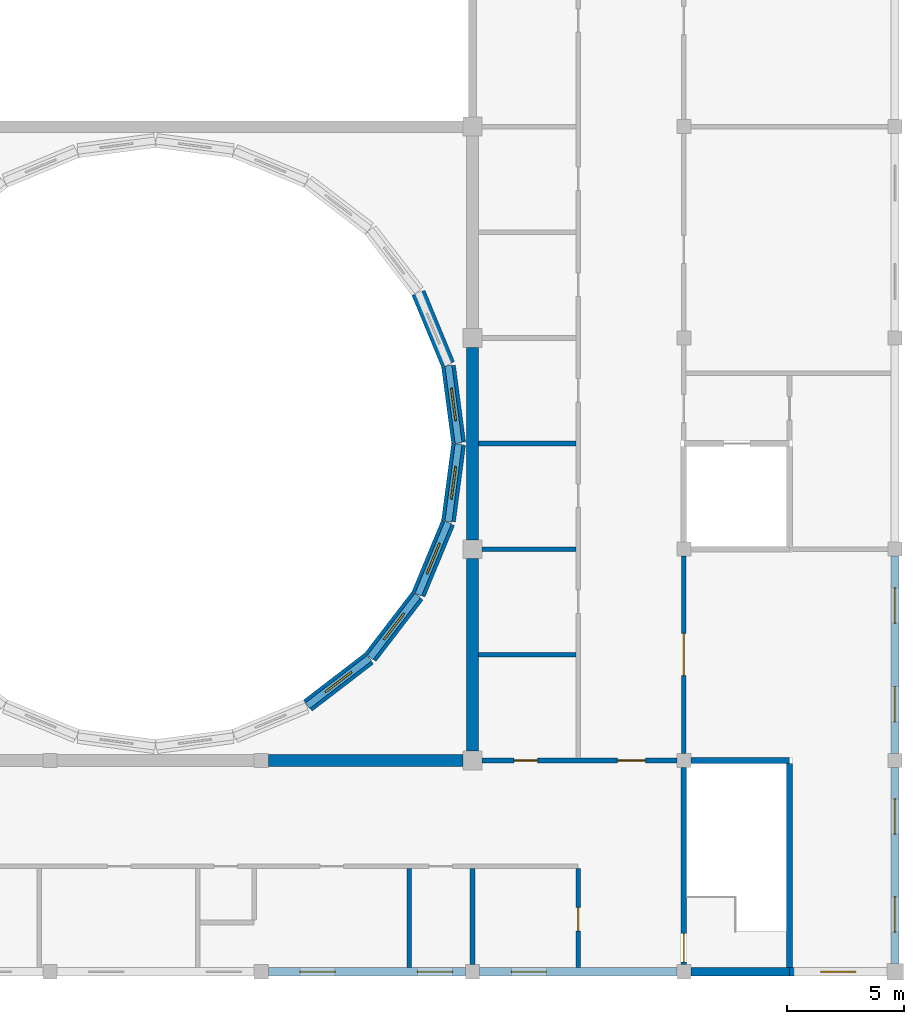
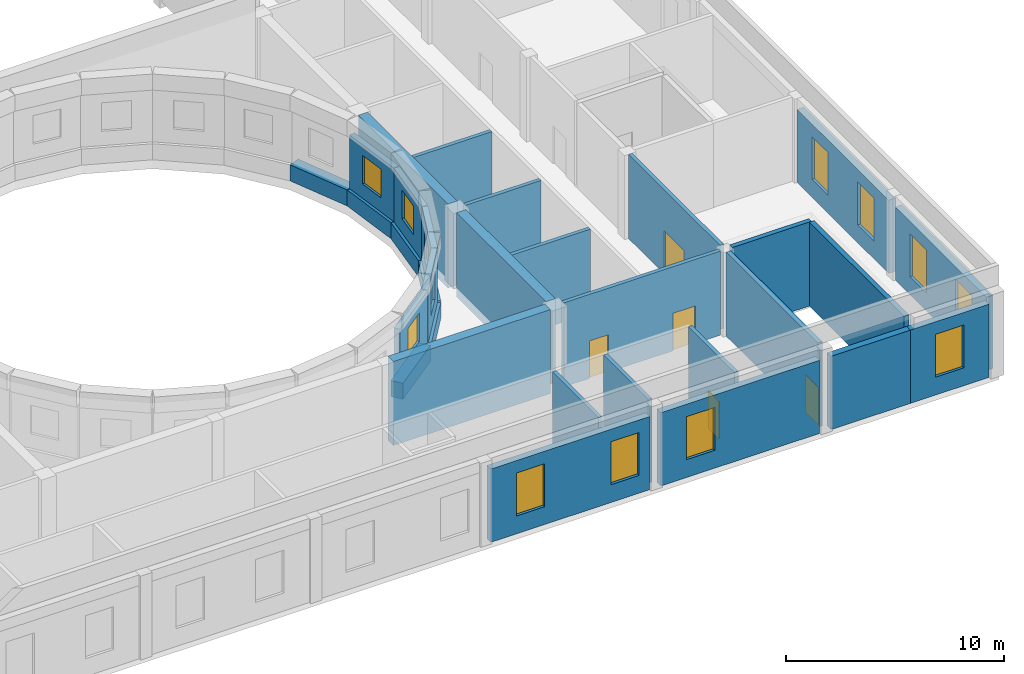
# One storey, part 26 of 35: 31 walls, 13 windows, 5 doors, 18 openings.
"""IFC4 building model written with IfcOpenShell, lengths in metres."""

import ifcopenshell
import ifcopenshell.guid

model = None  # the IFC model being written
_history = None  # IfcOwnerHistory: only IFC2X3 demands one
_inside = {}  # id of a spatial element -> (the spatial element, [elements in it])
_under = {}  # id of a project, library or spatial element -> (it, [spatial elements below it])
_declared = {}  # id of a project -> (the project, [libraries it declares])
_typed = {}  # id of a type object -> (the type object, [elements of that type])
_made_of = {}  # id of a material, layer set ... -> (it, [elements and type objects made of it])


def new_model(schema):
    """Start an empty IFC model of exactly this schema.

    Asked for "IFC4X3", IfcOpenShell would pick the latest addendum, in which some entities
    have other attributes; the version numbers below select the first issue.
    IFC2X3 requires an IfcOwnerHistory on every rooted entity: one is made here for all.
    """
    global model, _history
    if schema == "IFC4X3":
        model = ifcopenshell.file(schema_version=(4, 3, 0, 0))
    else:
        model = ifcopenshell.file(schema=schema)
    _inside.clear()
    _under.clear()
    _declared.clear()
    _typed.clear()
    _made_of.clear()
    _history = None
    if model.schema == "IFC2X3":
        org = make("IfcOrganization", Name="unknown")
        user = make(
            "IfcPersonAndOrganization",
            ThePerson=make("IfcPerson", FamilyName="unknown"),
            TheOrganization=org,
        )
        app = make(
            "IfcApplication",
            ApplicationDeveloper=org,
            Version="unknown",
            ApplicationFullName="unknown",
            ApplicationIdentifier="unknown",
        )
        _history = make(
            "IfcOwnerHistory",
            OwningUser=user,
            OwningApplication=app,
            ChangeAction="ADDED",
            CreationDate=0,
        )
    return model


def make(cls, **values):
    """One entity of the class cls with the attributes given. An attribute that is None is left unset."""
    return model.create_entity(
        cls, **{name: value for name, value in values.items() if value is not None}
    )


def rooted(cls, **values):
    """An entity with a GlobalId (a new one), such as an element, a storey or a relation."""
    return make(cls, GlobalId=ifcopenshell.guid.new(), OwnerHistory=_history, **values)


def si_unit(unit_type, name, prefix=None):
    """IfcSIUnit, for example si_unit("LENGTHUNIT", "METRE", prefix="MILLI")."""
    return make("IfcSIUnit", UnitType=unit_type, Prefix=prefix, Name=name)


def assignment(units):
    """IfcUnitAssignment: the units of a project."""
    return None if units is None else make("IfcUnitAssignment", Units=units)


def point(xyz):
    """IfcCartesianPoint."""
    return None if xyz is None else make("IfcCartesianPoint", Coordinates=xyz)


def direction(xyz):
    """IfcDirection."""
    return None if xyz is None else make("IfcDirection", DirectionRatios=xyz)


def frame(location, z_axis=None, x_axis=None):
    """IfcAxis2Placement3D, a coordinate frame: its origin and axes. An axis left out is left unset."""
    return make(
        "IfcAxis2Placement3D",
        Location=point(location),
        Axis=direction(z_axis),
        RefDirection=direction(x_axis),
    )


def frame_2d(location, x_axis=None):
    """IfcAxis2Placement2D, a coordinate frame in the plane: its origin and x axis."""
    return make(
        "IfcAxis2Placement2D", Location=point(location), RefDirection=direction(x_axis)
    )


def origin():
    """The frame at (0, 0, 0) with its axes left unset."""
    return frame((0.0, 0.0, 0.0))


def place(relative_to, where):
    """IfcLocalPlacement: puts the frame where relative to a parent placement (None: the world)."""
    return make(
        "IfcLocalPlacement", PlacementRelTo=relative_to, RelativePlacement=where
    )


def context(
    kind, dimensions, precision=None, world=None, true_north=None, identifier=None
):
    """IfcGeometricRepresentationContext, for example the 3D "Model" context."""
    return make(
        "IfcGeometricRepresentationContext",
        ContextIdentifier=identifier,
        ContextType=kind,
        CoordinateSpaceDimension=dimensions,
        Precision=precision,
        WorldCoordinateSystem=world,
        TrueNorth=true_north,
    )


def subcontext(parent, identifier, kind, view, scale=None):
    """IfcGeometricRepresentationSubContext, for example "Body" below "Model"."""
    return make(
        "IfcGeometricRepresentationSubContext",
        ContextIdentifier=identifier,
        ContextType=kind,
        ParentContext=parent,
        TargetScale=scale,
        TargetView=view,
    )


def project(units=None, contexts=None):
    """IfcProject with its units and contexts."""
    return rooted(
        "IfcProject",
        Name="project",
        RepresentationContexts=contexts,
        UnitsInContext=assignment(units),
    )


def spatial(cls, under=None, at=None, **own):
    """A site, building, storey or space (cls), placed at a placement, below another one or the project."""
    s = rooted(cls, ObjectPlacement=at, **own)
    if under is not None:
        _under.setdefault(under.id(), (under, []))[1].append(s)
    return s


def profile(cls, at=None, kind="AREA", **sizes):
    """A parametric profile (cls). Its sizes go by their IFC names, for example OverallWidth=200.0."""
    return make(cls, ProfileType=kind, Position=at, **sizes)


def rectangle(**sizes):
    """IfcRectangleProfileDef."""
    return profile("IfcRectangleProfileDef", **sizes)


def extrude(swept, where, along, depth):
    """IfcExtrudedAreaSolid: the profile swept, set in the frame where, extruded along a direction by depth."""
    return make(
        "IfcExtrudedAreaSolid",
        SweptArea=swept,
        Position=where,
        ExtrudedDirection=direction(along),
        Depth=depth,
    )


def shape(context_of_items, identifier, shape_type, items):
    """IfcShapeRepresentation: the items that make up one representation, for example the "Body"."""
    return make(
        "IfcShapeRepresentation",
        ContextOfItems=context_of_items,
        RepresentationIdentifier=identifier,
        RepresentationType=shape_type,
        Items=items,
    )


def material(Name=None, Category=None):
    """IfcMaterial."""
    return make("IfcMaterial", Name=Name, Category=Category)


def layer(
    of_material, thickness, ventilated=None, Name=None, Category=None, Priority=None
):
    """IfcMaterialLayer: one layer of a wall or slab, of a material (None: an air gap)."""
    return make(
        "IfcMaterialLayer",
        Material=of_material,
        LayerThickness=thickness,
        IsVentilated=ventilated,
        Name=Name,
        Category=Category,
        Priority=Priority,
    )


def layer_set(layers, Name=None):
    """IfcMaterialLayerSet."""
    return make("IfcMaterialLayerSet", MaterialLayers=layers, LayerSetName=Name)


def made_of(thing, what):
    """Note that an element or type object is made of a material, layer set ...; save() writes the relation."""
    if what is not None:
        _made_of.setdefault(what.id(), (what, []))[1].append(thing)
    return thing


def type_object(cls, material=None, **own):
    """A type object (cls), such as IfcWallType, which elements share."""
    return made_of(rooted(cls, **own), material)


def element(
    cls,
    number,
    at=None,
    inside=None,
    cuts=None,
    type_object=None,
    material=None,
    context=None,
    identifier="Body",
    shape_type=None,
    held_by="IfcProductDefinitionShape",
    body=None,
    shapes=None,
    **own,
):
    """One element of the class cls, such as IfcWall. Its Tag is "e" and its number.

    at: its placement. inside: the storey or other place that contains it. cuts: it is an
    opening in that element (IfcRelVoidsElement). A single representation is given by context,
    identifier, shape_type and body (its items); several are given by shapes. held_by: the class
    of the entity that holds the representations. save() writes the other relations.
    """
    e = rooted(cls, Tag="e%d" % number, ObjectPlacement=at, **own)
    if body is not None:
        shapes = [shape(context, identifier, shape_type, body)]
    if shapes is not None:
        e.Representation = make(held_by, Representations=shapes)
    if inside is not None:
        _inside.setdefault(inside.id(), (inside, []))[1].append(e)
    if cuts is not None:
        rooted(
            "IfcRelVoidsElement", RelatingBuildingElement=cuts, RelatedOpeningElement=e
        )
    if type_object is not None:
        _typed.setdefault(type_object.id(), (type_object, []))[1].append(e)
    return made_of(e, material)


def fill(opening, filler):
    """IfcRelFillsElement: the door or window that sits in an opening."""
    return rooted(
        "IfcRelFillsElement",
        RelatingOpeningElement=opening,
        RelatedBuildingElement=filler,
    )


def aggregate(whole, parts):
    """IfcRelAggregates: a whole, such as a stair, and the parts it consists of."""
    return rooted("IfcRelAggregates", RelatingObject=whole, RelatedObjects=parts)


def save(model, path):
    """Write the relations noted so far, then the file.

    IfcRelAggregates (storeys below a building ...), IfcRelContainedInSpatialStructure (elements
    in a storey), IfcRelDefinesByType, IfcRelAssociatesMaterial and IfcRelDeclares: one each for
    every whole, place, type object, material and project.
    """
    for whole, parts in _under.values():
        aggregate(whole, parts)
    for where, things in _inside.values():
        rooted(
            "IfcRelContainedInSpatialStructure",
            RelatedElements=things,
            RelatingStructure=where,
        )
    for kind, things in _typed.values():
        rooted("IfcRelDefinesByType", RelatedObjects=things, RelatingType=kind)
    for what, things in _made_of.values():
        rooted("IfcRelAssociatesMaterial", RelatedObjects=things, RelatingMaterial=what)
    for by, libraries in _declared.values():
        rooted("IfcRelDeclares", RelatingContext=by, RelatedDefinitions=libraries)
    model.write(path)


model = new_model("IFC4")

# Units and contexts
model_context = context("Model", 3, precision=1e-05, world=origin(), true_north=direction((0.0, 1.0)))
body_context = subcontext(model_context, "Body", "Model", "MODEL_VIEW")
ifc_project = project(units=[si_unit("LENGTHUNIT", "METRE"), si_unit("AREAUNIT", "SQUARE_METRE"), si_unit("VOLUMEUNIT", "CUBIC_METRE"), si_unit("PLANEANGLEUNIT", "RADIAN"), si_unit("MASSUNIT", "GRAM", prefix="KILO")], contexts=[model_context])

# Site, building, storey
site_placement = place(None, origin())
site = spatial("IfcSite", under=ifc_project, at=site_placement, CompositionType="ELEMENT")
building_placement = place(site_placement, origin())
building = spatial("IfcBuilding", under=site, at=building_placement, Name="Firuza Court", CompositionType="ELEMENT")
storey_placement = place(building_placement, frame((0.0, 0.0, 24.0)))
storey = spatial("IfcBuildingStorey", under=building, at=storey_placement, Name="L04", CompositionType="ELEMENT", Elevation=24.0)

# Wall, opening, window
ifc_material_1 = material(Name="Concrete C40/50", Category="concrete")
ifc_layer_1 = layer(ifc_material_1, 0.300048828125)
ifc_layer_set_1 = layer_set([ifc_layer_1], Name="Concrete C40/50")
wall_type_1 = type_object("IfcWallType", Name="HALL DRUM WALL 300", PredefinedType="STANDARD", material=ifc_layer_set_1)
wall_1_placement = place(storey_placement, frame((134.407958984375, 13.51953125, 1.39990234375), z_axis=(0.0, 0.0, 1.0), x_axis=(-0.130545524535, 0.991442316035, 0.0)))
wall_1 = element("IfcWall", 1, at=wall_1_placement, inside=storey, type_object=wall_type_1, Name="Drum wall 1", PredefinedType="STANDARD", context=body_context, shape_type="SweptSolid", body=[
    extrude(rectangle(XDim=3.330810546875, YDim=0.300048828125, at=frame_2d((1.66552734375, 0.0))), origin(), (0.0, 0.0, 1.0), 3.0),
])
opening_1_placement = place(wall_1_placement, frame((0.96533203125, 0.0, 0.800048828125)))
opening_1 = element("IfcOpeningElement", 2, at=opening_1_placement, cuts=wall_1, Name="Opening HW-4", PredefinedType="OPENING", context=body_context, shape_type="SweptSolid", body=[
    extrude(rectangle(XDim=1.39990234375, YDim=1.60009765625, at=frame_2d((0.699951171875, 0.800048828125))), frame((0.0, 0.162109375, 0.0), z_axis=(0.0, -1.0, 0.0), x_axis=(1.0, 0.0, 0.0)), (0.0, 0.0, 1.0), 0.323974609375),
])
ifc_material_2 = material(Name="Aluminium", Category="aluminium")
window_type_1 = type_object("IfcWindowType", Name="HALL WINDOW 1400X1600", PartitioningType="SINGLE_PANEL", PredefinedType="WINDOW", material=ifc_material_2)
window_1_placement = place(opening_1_placement, origin())
window_1 = element("IfcWindow", 3, at=window_1_placement, inside=storey, type_object=window_type_1, Name="Drum clerestory window 1", OverallHeight=1.60009765625, OverallWidth=1.39990234375, PartitioningType="SINGLE_PANEL", PredefinedType="WINDOW", context=body_context, shape_type="SweptSolid", body=[
    extrude(rectangle(XDim=1.39990234375, YDim=1.60009765625, at=frame_2d((0.699951171875, 0.800048828125))), frame((0.0, 0.030029296875, 0.0), z_axis=(0.0, -1.0, 0.0), x_axis=(1.0, 0.0, 0.0)), (0.0, 0.0, 1.0), 0.06005859375),
])
fill(opening_1, window_1)

wall_2_placement = place(storey_placement, frame((127.970947265625, 2.331298828125, 1.39990234375), z_axis=(0.0, 0.0, 1.0), x_axis=(0.793345551451, 0.608771579488, 0.0)))
wall_2 = element("IfcWall", 4, at=wall_2_placement, inside=storey, type_object=wall_type_1, Name="Drum wall 21", PredefinedType="STANDARD", context=body_context, shape_type="SweptSolid", body=[
    extrude(rectangle(XDim=3.33056640625, YDim=0.300048828125, at=frame_2d((1.665283203125, 0.0))), origin(), (0.0, 0.0, 1.0), 3.0),
])
opening_2_placement = place(wall_2_placement, frame((0.96533203125, 0.0, 0.800048828125)))
opening_2 = element("IfcOpeningElement", 5, at=opening_2_placement, cuts=wall_2, Name="Opening HW-4", PredefinedType="OPENING", context=body_context, shape_type="SweptSolid", body=[
    extrude(rectangle(XDim=1.39990234375, YDim=1.60009765625, at=frame_2d((0.699951171875, 0.800048828125))), frame((0.0, 0.162109375, 0.0), z_axis=(0.0, -1.0, 0.0), x_axis=(1.0, 0.0, 0.0)), (0.0, 0.0, 1.0), 0.323974609375),
])
window_2_placement = place(opening_2_placement, origin())
window_2 = element("IfcWindow", 6, at=window_2_placement, inside=storey, type_object=window_type_1, Name="Drum clerestory window 21", OverallHeight=1.60009765625, OverallWidth=1.39990234375, PartitioningType="SINGLE_PANEL", PredefinedType="WINDOW", context=body_context, shape_type="SweptSolid", body=[
    extrude(rectangle(XDim=1.39990234375, YDim=1.60009765625, at=frame_2d((0.699951171875, 0.800048828125))), frame((0.0, 0.030029296875, 0.0), z_axis=(0.0, -1.0, 0.0), x_axis=(1.0, 0.0, 0.0)), (0.0, 0.0, 1.0), 0.06005859375),
])
fill(opening_2, window_2)

wall_3_placement = place(storey_placement, frame((130.64111328125, 4.38671875, 1.39990234375), z_axis=(0.0, 0.0, 1.0), x_axis=(0.608771579488, 0.793345551451, 0.0)))
wall_3 = element("IfcWall", 7, at=wall_3_placement, inside=storey, type_object=wall_type_1, Name="Drum wall 22", PredefinedType="STANDARD", context=body_context, shape_type="SweptSolid", body=[
    extrude(rectangle(XDim=3.33056640625, YDim=0.300048828125, at=frame_2d((1.665283203125, 0.0))), origin(), (0.0, 0.0, 1.0), 3.0),
])
opening_3_placement = place(wall_3_placement, frame((0.96533203125, 0.0, 0.800048828125)))
opening_3 = element("IfcOpeningElement", 8, at=opening_3_placement, cuts=wall_3, Name="Opening HW-4", PredefinedType="OPENING", context=body_context, shape_type="SweptSolid", body=[
    extrude(rectangle(XDim=1.39990234375, YDim=1.60009765625, at=frame_2d((0.699951171875, 0.800048828125))), frame((0.0, 0.162109375, 0.0), z_axis=(0.0, -1.0, 0.0), x_axis=(1.0, 0.0, 0.0)), (0.0, 0.0, 1.0), 0.323974609375),
])
window_3_placement = place(opening_3_placement, origin())
window_3 = element("IfcWindow", 9, at=window_3_placement, inside=storey, type_object=window_type_1, Name="Drum clerestory window 22", OverallHeight=1.60009765625, OverallWidth=1.39990234375, PartitioningType="SINGLE_PANEL", PredefinedType="WINDOW", context=body_context, shape_type="SweptSolid", body=[
    extrude(rectangle(XDim=1.39990234375, YDim=1.60009765625, at=frame_2d((0.699951171875, 0.800048828125))), frame((0.0, 0.030029296875, 0.0), z_axis=(0.0, -1.0, 0.0), x_axis=(1.0, 0.0, 0.0)), (0.0, 0.0, 1.0), 0.06005859375),
])
fill(opening_3, window_3)

wall_4_placement = place(storey_placement, frame((132.688232421875, 7.06298828125, 1.39990234375), z_axis=(0.0, 0.0, 1.0), x_axis=(0.382673300321, 0.923883729276, 0.0)))
wall_4 = element("IfcWall", 10, at=wall_4_placement, inside=storey, type_object=wall_type_1, Name="Drum wall 23", PredefinedType="STANDARD", context=body_context, shape_type="SweptSolid", body=[
    extrude(rectangle(XDim=3.330810546875, YDim=0.300048828125, at=frame_2d((1.66552734375, 0.0))), origin(), (0.0, 0.0, 1.0), 3.0),
])
opening_4_placement = place(wall_4_placement, frame((0.96533203125, 0.0, 0.800048828125)))
opening_4 = element("IfcOpeningElement", 11, at=opening_4_placement, cuts=wall_4, Name="Opening HW-4", PredefinedType="OPENING", context=body_context, shape_type="SweptSolid", body=[
    extrude(rectangle(XDim=1.39990234375, YDim=1.60009765625, at=frame_2d((0.699951171875, 0.800048828125))), frame((0.0, 0.162109375, 0.0), z_axis=(0.0, -1.0, 0.0), x_axis=(1.0, 0.0, 0.0)), (0.0, 0.0, 1.0), 0.323974609375),
])
window_4_placement = place(opening_4_placement, origin())
window_4 = element("IfcWindow", 12, at=window_4_placement, inside=storey, type_object=window_type_1, Name="Drum clerestory window 23", OverallHeight=1.60009765625, OverallWidth=1.39990234375, PartitioningType="SINGLE_PANEL", PredefinedType="WINDOW", context=body_context, shape_type="SweptSolid", body=[
    extrude(rectangle(XDim=1.39990234375, YDim=1.60009765625, at=frame_2d((0.699951171875, 0.800048828125))), frame((0.0, 0.030029296875, 0.0), z_axis=(0.0, -1.0, 0.0), x_axis=(1.0, 0.0, 0.0)), (0.0, 0.0, 1.0), 0.06005859375),
])
fill(opening_4, window_4)

wall_5_placement = place(storey_placement, frame((133.97314453125, 10.17822265625, 1.39990234375), z_axis=(0.0, 0.0, 1.0), x_axis=(0.130545524535, 0.991442316035, 0.0)))
wall_5 = element("IfcWall", 13, at=wall_5_placement, inside=storey, type_object=wall_type_1, Name="Drum wall 24", PredefinedType="STANDARD", context=body_context, shape_type="SweptSolid", body=[
    extrude(rectangle(XDim=3.330810546875, YDim=0.300048828125, at=frame_2d((1.66552734375, 0.0))), origin(), (0.0, 0.0, 1.0), 3.0),
])
opening_5_placement = place(wall_5_placement, frame((0.96533203125, 0.0, 0.800048828125)))
opening_5 = element("IfcOpeningElement", 14, at=opening_5_placement, cuts=wall_5, Name="Opening HW-4", PredefinedType="OPENING", context=body_context, shape_type="SweptSolid", body=[
    extrude(rectangle(XDim=1.39990234375, YDim=1.60009765625, at=frame_2d((0.699951171875, 0.800048828125))), frame((0.0, 0.162109375, 0.0), z_axis=(0.0, -1.0, 0.0), x_axis=(1.0, 0.0, 0.0)), (0.0, 0.0, 1.0), 0.323974609375),
])
window_5_placement = place(opening_5_placement, origin())
window_5 = element("IfcWindow", 15, at=window_5_placement, inside=storey, type_object=window_type_1, Name="Drum clerestory window 24", OverallHeight=1.60009765625, OverallWidth=1.39990234375, PartitioningType="SINGLE_PANEL", PredefinedType="WINDOW", context=body_context, shape_type="SweptSolid", body=[
    extrude(rectangle(XDim=1.39990234375, YDim=1.60009765625, at=frame_2d((0.699951171875, 0.800048828125))), frame((0.0, 0.030029296875, 0.0), z_axis=(0.0, -1.0, 0.0), x_axis=(1.0, 0.0, 0.0)), (0.0, 0.0, 1.0), 0.06005859375),
])
fill(opening_5, window_5)

# Wall, openings, doors
ifc_material_3 = material(Name="Blockwork", Category="masonry")
ifc_layer_2 = layer(ifc_material_3, 0.199951171875)
ifc_layer_set_2 = layer_set([ifc_layer_2], Name="Blockwork")
wall_type_2 = type_object("IfcWallType", Name="HALL PARTITION 200", PredefinedType="STANDARD", material=ifc_layer_set_2)
wall_6_placement = place(storey_placement, frame((135.39990234375, 0.0, 0.0), z_axis=(0.0, 0.0, 1.0), x_axis=(1.0, 0.0, 0.0)))
wall_6 = element("IfcWall", 16, at=wall_6_placement, inside=storey, type_object=wall_type_2, Name="Wall L04.18", PredefinedType="STANDARD", context=body_context, shape_type="SweptSolid", body=[
    extrude(rectangle(XDim=8.300048828125, YDim=0.199951171875, at=frame_2d((4.14990234375, 0.0))), origin(), (0.0, 0.0, 1.0), 4.699951171875),
])
opening_6_placement = place(wall_6_placement, frame((5.77001953125, 0.0, 0.0)))
opening_6 = element("IfcOpeningElement", 17, at=opening_6_placement, cuts=wall_6, Name="Opening H150", PredefinedType="OPENING", context=body_context, shape_type="SweptSolid", body=[
    extrude(rectangle(XDim=1.199951171875, YDim=2.10009765625, at=frame_2d((0.60009765625, 1.050048828125))), frame((0.0, 0.11181640625, 0.0), z_axis=(0.0, -1.0, 0.0), x_axis=(1.0, 0.0, 0.0)), (0.0, 0.0, 1.0), 0.223876953125),
])
opening_7_placement = place(wall_6_placement, frame((1.3701171875, 0.0, 0.0)))
opening_7 = element("IfcOpeningElement", 18, at=opening_7_placement, cuts=wall_6, Name="Opening H168", PredefinedType="OPENING", context=body_context, shape_type="SweptSolid", body=[
    extrude(rectangle(XDim=1.0, YDim=2.10009765625, at=frame_2d((0.5, 1.050048828125))), frame((0.0, 0.11181640625, 0.0), z_axis=(0.0, -1.0, 0.0), x_axis=(1.0, 0.0, 0.0)), (0.0, 0.0, 1.0), 0.223876953125),
])
ifc_material_4 = material(Name="Timber", Category="wood")
door_type_1 = type_object("IfcDoorType", Name="HALL DOOR 1000X2100", OperationType="SINGLE_SWING_LEFT", PredefinedType="DOOR", material=ifc_material_4)
door_1_placement = place(opening_7_placement, origin())
door_1 = element("IfcDoor", 19, at=door_1_placement, inside=storey, type_object=door_type_1, Name="Door Practice room 7", OperationType="SINGLE_SWING_LEFT", OverallHeight=2.10009765625, OverallWidth=1.0, PredefinedType="DOOR", context=body_context, shape_type="SweptSolid", body=[
    extrude(rectangle(XDim=1.0, YDim=2.10009765625, at=frame_2d((0.5, 1.050048828125))), frame((0.0, 0.02490234375, 0.0), z_axis=(0.0, -1.0, 0.0), x_axis=(1.0, 0.0, 0.0)), (0.0, 0.0, 1.0), 0.050048828125),
])
fill(opening_7, door_1)
ifc_material_5 = material(Name="Timber", Category="wood")
door_type_2 = type_object("IfcDoorType", Name="HALL DOOR 1200X2100", OperationType="SINGLE_SWING_LEFT", PredefinedType="DOOR", material=ifc_material_5)
door_2_placement = place(opening_6_placement, origin())
door_2 = element("IfcDoor", 20, at=door_2_placement, inside=storey, type_object=door_type_2, Name="Door Gallery to Backstage corridor", OperationType="SINGLE_SWING_RIGHT", OverallHeight=2.10009765625, OverallWidth=1.199951171875, PredefinedType="DOOR", context=body_context, shape_type="SweptSolid", body=[
    extrude(rectangle(XDim=1.199951171875, YDim=2.10009765625, at=frame_2d((0.60009765625, 1.050048828125))), frame((0.0, 0.02490234375, 0.0), z_axis=(0.0, -1.0, 0.0), x_axis=(1.0, 0.0, 0.0)), (0.0, 0.0, 1.0), 0.050048828125),
])
fill(opening_6, door_2)

# Walls
wall_7_placement = place(storey_placement, frame((135.25, 4.5, 0.0), z_axis=(0.0, 0.0, 1.0), x_axis=(1.0, 0.0, 0.0)))
element("IfcWall", 21, at=wall_7_placement, inside=storey, type_object=wall_type_2, Name="Wall L04.20", PredefinedType="STANDARD", context=body_context, shape_type="SweptSolid", body=[
    extrude(rectangle(XDim=4.14990234375, YDim=0.199951171875, at=frame_2d((2.074951171875, 0.0))), origin(), (0.0, 0.0, 1.0), 4.699951171875),
])
wall_8_placement = place(storey_placement, frame((135.39990234375, 9.0, 0.0), z_axis=(0.0, 0.0, 1.0), x_axis=(1.0, 0.0, 0.0)))
element("IfcWall", 22, at=wall_8_placement, inside=storey, type_object=wall_type_2, Name="Wall L04.21", PredefinedType="STANDARD", context=body_context, shape_type="SweptSolid", body=[
    extrude(rectangle(XDim=4.0, YDim=0.199951171875, at=frame_2d((2.0, 0.0))), origin(), (0.0, 0.0, 1.0), 4.699951171875),
])
wall_9_placement = place(storey_placement, frame((135.25, 13.5, 0.0), z_axis=(0.0, 0.0, 1.0), x_axis=(1.0, 0.0, 0.0)))
element("IfcWall", 23, at=wall_9_placement, inside=storey, type_object=wall_type_2, Name="Wall L04.24", PredefinedType="STANDARD", context=body_context, shape_type="SweptSolid", body=[
    extrude(rectangle(XDim=4.14990234375, YDim=0.199951171875, at=frame_2d((2.074951171875, 0.0))), origin(), (0.0, 0.0, 1.0), 4.699951171875),
])
wall_10_placement = place(storey_placement, frame((132.300048828125, -8.824951171875, 0.0), z_axis=(0.0, 0.0, 1.0), x_axis=(0.0, 1.0, 0.0)))
element("IfcWall", 24, at=wall_10_placement, inside=storey, type_object=wall_type_2, Name="Wall L04.74", PredefinedType="STANDARD", context=body_context, shape_type="SweptSolid", body=[
    extrude(rectangle(XDim=4.224853515625, YDim=0.199951171875, at=frame_2d((2.1123046875, 0.0))), origin(), (0.0, 0.0, 1.0), 4.699951171875),
])
wall_11_placement = place(storey_placement, frame((135.0, -8.699951171875, 0.0), z_axis=(0.0, 0.0, 1.0), x_axis=(0.0, 1.0, 0.0)))
element("IfcWall", 25, at=wall_11_placement, inside=storey, type_object=wall_type_2, Name="Wall L04.75", PredefinedType="STANDARD", context=body_context, shape_type="SweptSolid", body=[
    extrude(rectangle(XDim=4.099853515625, YDim=0.199951171875, at=frame_2d((2.0498046875, 0.0))), origin(), (0.0, 0.0, 1.0), 4.699951171875),
])

# Wall, opening, door
wall_12_placement = place(storey_placement, frame((139.5, -8.824951171875, 0.0), z_axis=(0.0, 0.0, 1.0), x_axis=(0.0, 1.0, 0.0)))
wall_12 = element("IfcWall", 26, at=wall_12_placement, inside=storey, type_object=wall_type_2, Name="Wall L04.81", PredefinedType="STANDARD", context=body_context, shape_type="SweptSolid", body=[
    extrude(rectangle(XDim=4.224853515625, YDim=0.199951171875, at=frame_2d((2.1123046875, 0.0))), origin(), (0.0, 0.0, 1.0), 4.699951171875),
])
opening_8_placement = place(wall_12_placement, frame((1.570068359375, 0.0, 0.0)))
opening_8 = element("IfcOpeningElement", 27, at=opening_8_placement, cuts=wall_12, Name="Opening H161", PredefinedType="OPENING", context=body_context, shape_type="SweptSolid", body=[
    extrude(rectangle(XDim=1.0, YDim=2.10009765625, at=frame_2d((0.5, 1.050048828125))), frame((0.0, 0.11181640625, 0.0), z_axis=(0.0, -1.0, 0.0), x_axis=(1.0, 0.0, 0.0)), (0.0, 0.0, 1.0), 0.223876953125),
])
door_3_placement = place(opening_8_placement, origin())
door_3 = element("IfcDoor", 28, at=door_3_placement, inside=storey, type_object=door_type_1, Name="Door Conductor's room", OperationType="SINGLE_SWING_LEFT", OverallHeight=2.10009765625, OverallWidth=1.0, PredefinedType="DOOR", context=body_context, shape_type="SweptSolid", body=[
    extrude(rectangle(XDim=1.0, YDim=2.10009765625, at=frame_2d((0.5, 1.050048828125))), frame((0.0, 0.02490234375, 0.0), z_axis=(0.0, -1.0, 0.0), x_axis=(1.0, 0.0, 0.0)), (0.0, 0.0, 1.0), 0.050048828125),
])
fill(opening_8, door_3)

wall_13_placement = place(storey_placement, frame((144.0, 0.300048828125, 0.0), z_axis=(0.0, 0.0, 1.0), x_axis=(0.0, 1.0, 0.0)))
wall_13 = element("IfcWall", 29, at=wall_13_placement, inside=storey, type_object=wall_type_2, Name="Wall L04.85", PredefinedType="STANDARD", context=body_context, shape_type="SweptSolid", body=[
    extrude(rectangle(XDim=8.39990234375, YDim=0.199951171875, at=frame_2d((4.199951171875, 0.0))), origin(), (0.0, 0.0, 1.0), 4.699951171875),
])
opening_9_placement = place(wall_13_placement, frame((3.320068359375, 0.0, 0.0)))
opening_9 = element("IfcOpeningElement", 30, at=opening_9_placement, cuts=wall_13, Name="Opening H175", PredefinedType="OPENING", context=body_context, shape_type="SweptSolid", body=[
    extrude(rectangle(XDim=1.800048828125, YDim=2.39990234375, at=frame_2d((0.89990234375, 1.199951171875))), frame((0.0, 0.11181640625, 0.0), z_axis=(0.0, -1.0, 0.0), x_axis=(1.0, 0.0, 0.0)), (0.0, 0.0, 1.0), 0.223876953125),
])
ifc_material_6 = material(Name="Timber", Category="wood")
door_type_3 = type_object("IfcDoorType", Name="HALL DOOR 1800X2400", OperationType="DOUBLE_DOOR_SINGLE_SWING", PredefinedType="DOOR", material=ifc_material_6)
door_4_placement = place(opening_9_placement, origin())
door_4 = element("IfcDoor", 31, at=door_4_placement, inside=storey, type_object=door_type_3, Name="Door Rehearsal room 4", OperationType="DOUBLE_DOOR_SINGLE_SWING", OverallHeight=2.39990234375, OverallWidth=1.800048828125, PredefinedType="DOOR", context=body_context, shape_type="SweptSolid", body=[
    extrude(rectangle(XDim=1.800048828125, YDim=2.39990234375, at=frame_2d((0.89990234375, 1.199951171875))), frame((0.0, 0.02490234375, 0.0), z_axis=(0.0, -1.0, 0.0), x_axis=(1.0, 0.0, 0.0)), (0.0, 0.0, 1.0), 0.050048828125),
])
fill(opening_9, door_4)

# Wall
ifc_layer_3 = layer(ifc_material_1, 0.25)
ifc_layer_set_3 = layer_set([ifc_layer_3], Name="Concrete C40/50")
wall_type_3 = type_object("IfcWallType", Name="HALL RC WALL 250", PredefinedType="STANDARD", material=ifc_layer_set_3)
wall_14_placement = place(storey_placement, frame((144.300048828125, 0.0, 0.0), z_axis=(0.0, 0.0, 1.0), x_axis=(1.0, 0.0, 0.0)))
element("IfcWall", 32, at=wall_14_placement, inside=storey, type_object=wall_type_3, Name="Wall L04.19", PredefinedType="STANDARD", context=body_context, shape_type="SweptSolid", body=[
    extrude(rectangle(XDim=4.199951171875, YDim=0.25, at=frame_2d((2.10009765625, 0.0))), origin(), (0.0, 0.0, 1.0), 4.699951171875),
])

# Wall, opening, door
wall_15_placement = place(storey_placement, frame((144.0, -8.699951171875, 0.0), z_axis=(0.0, 0.0, 1.0), x_axis=(0.0, 1.0, 0.0)))
wall_15 = element("IfcWall", 33, at=wall_15_placement, inside=storey, type_object=wall_type_3, Name="Wall L04.84", PredefinedType="STANDARD", context=body_context, shape_type="SweptSolid", body=[
    extrude(rectangle(XDim=8.39990234375, YDim=0.25, at=frame_2d((4.199951171875, 0.0))), origin(), (0.0, 0.0, 1.0), 4.699951171875),
])
opening_10_placement = place(wall_15_placement, frame((0.1201171875, 0.0, 0.0)))
opening_10 = element("IfcOpeningElement", 34, at=opening_10_placement, cuts=wall_15, Name="Opening H157", PredefinedType="OPENING", context=body_context, shape_type="SweptSolid", body=[
    extrude(rectangle(XDim=1.199951171875, YDim=2.10009765625, at=frame_2d((0.60009765625, 1.050048828125))), frame((0.0, 0.136962890625, 0.0), z_axis=(0.0, -1.0, 0.0), x_axis=(1.0, 0.0, 0.0)), (0.0, 0.0, 1.0), 0.27392578125),
])
door_5_placement = place(opening_10_placement, frame((1.199951171875, 0.0, 0.0), z_axis=(0.0, 0.0, 1.0), x_axis=(-1.0, 0.0, 0.0)))
door_5 = element("IfcDoor", 35, at=door_5_placement, inside=storey, type_object=door_type_2, Name="Stair H2 door", OperationType="SINGLE_SWING_RIGHT", OverallHeight=2.10009765625, OverallWidth=1.199951171875, PredefinedType="DOOR", context=body_context, shape_type="SweptSolid", body=[
    extrude(rectangle(XDim=1.199951171875, YDim=2.10009765625, at=frame_2d((0.60009765625, 1.050048828125))), frame((0.0, 0.02490234375, 0.0), z_axis=(0.0, -1.0, 0.0), x_axis=(1.0, 0.0, 0.0)), (0.0, 0.0, 1.0), 0.050048828125),
])
fill(opening_10, door_5)

# Walls
wall_16_placement = place(storey_placement, frame((148.5, -8.824951171875, 0.0), z_axis=(0.0, 0.0, 1.0), x_axis=(0.0, 1.0, 0.0)))
element("IfcWall", 36, at=wall_16_placement, inside=storey, type_object=wall_type_3, Name="Wall L04.91", PredefinedType="STANDARD", context=body_context, shape_type="SweptSolid", body=[
    extrude(rectangle(XDim=8.699951171875, YDim=0.25, at=frame_2d((4.35009765625, 0.0))), origin(), (0.0, 0.0, 1.0), 4.699951171875),
])
ifc_layer_4 = layer(ifc_material_1, 0.5)
ifc_layer_set_4 = layer_set([ifc_layer_4], Name="Concrete C40/50")
wall_type_4 = type_object("IfcWallType", Name="HALL RC WALL 500", PredefinedType="STANDARD", material=ifc_layer_set_4)
wall_17_placement = place(storey_placement, frame((126.300048828125, 0.0, 0.0), z_axis=(0.0, 0.0, 1.0), x_axis=(1.0, 0.0, 0.0)))
element("IfcWall", 37, at=wall_17_placement, inside=storey, type_object=wall_type_4, Name="Wall L04.17", PredefinedType="STANDARD", context=body_context, shape_type="SweptSolid", body=[
    extrude(rectangle(XDim=8.300048828125, YDim=0.5, at=frame_2d((4.14990234375, 0.0))), origin(), (0.0, 0.0, 1.0), 4.699951171875),
])
for number, where, z_axis, x_axis, name in (
    (38, (135.0, 0.39990234375, 0.0), (0.0, 0.0, 1.0), (0.0, 1.0, 0.0), "Wall L04.76"),
    (39, (135.0, 9.39990234375, 0.0), (0.0, 0.0, 1.0), (0.0, 1.0, 0.0), "Wall L04.77"),
):
    element("IfcWall", number, at=place(storey_placement, frame(where, z_axis=z_axis, x_axis=x_axis)), inside=storey, type_object=wall_type_4, Name=name, PredefinedType="STANDARD", context=body_context, shape_type="SweptSolid", body=[
        extrude(rectangle(XDim=8.2001953125, YDim=0.5, at=frame_2d((4.10009765625, 0.0))), origin(), (0.0, 0.0, 1.0), 4.699951171875),
    ])
ifc_layer_5 = layer(ifc_material_1, 0.60009765625)
ifc_layer_set_5 = layer_set([ifc_layer_5], Name="Concrete C40/50")
wall_type_5 = type_object("IfcWallType", Name="HALL RING WALL 600", PredefinedType="STANDARD", material=ifc_layer_set_5)
for number, where, z_axis, x_axis, name in (
    (40, (134.4052734375, 13.5390625, 0.5), (0.0, 0.0, 1.0), (-0.130550451475, 0.99144166728, 0.0), "Drum base ring wall 1"),
    (41, (133.955322265625, 16.8779296875, 0.5), (0.0, 0.0, 1.0), (-0.382681538037, 0.923880317165, 0.0), "Drum base ring wall 2"),
    (42, (127.986572265625, 2.34326171875, 0.5), (0.0, 0.0, 1.0), (0.79333765339, 0.608781872031, 0.0), "Drum base ring wall 21"),
    (43, (130.653076171875, 4.40234375, 0.5), (0.0, 0.0, 1.0), (0.608781872031, 0.79333765339, 0.0), "Drum base ring wall 22"),
    (44, (132.69580078125, 7.081298828125, 0.5), (0.0, 0.0, 1.0), (0.382681538037, 0.923880317165, 0.0), "Drum base ring wall 23"),
    (45, (133.9755859375, 10.19775390625, 0.5), (0.0, 0.0, 1.0), (0.130550451475, 0.99144166728, 0.0), "Drum base ring wall 24"),
):
    element("IfcWall", number, at=place(storey_placement, frame(where, z_axis=z_axis, x_axis=x_axis)), inside=storey, type_object=wall_type_5, Name=name, PredefinedType="STANDARD", context=body_context, shape_type="SweptSolid", body=[
        extrude(rectangle(XDim=3.291259765625, YDim=0.60009765625, at=frame_2d((1.6455078125, 0.0))), origin(), (0.0, 0.0, 1.0), 0.89990234375),
    ])

# Wall, openings, windows
ifc_material_7 = material(Name="Concrete C30/37", Category="concrete")
ifc_layer_6 = layer(ifc_material_7, 0.300048828125)
ifc_material_8 = material(Name="Ceramic tile", Category="ceramic")
ifc_layer_7 = layer(ifc_material_8, 0.050048828125)
ifc_layer_set_6 = layer_set([ifc_layer_6, ifc_layer_7], Name="Concrete C30/37")
wall_type_6 = type_object("IfcWallType", Name="HALL TILE CLAD WALL 350", PredefinedType="STANDARD", material=ifc_layer_set_6)
wall_18_placement = place(storey_placement, frame((126.300048828125, -9.0, 0.0), z_axis=(0.0, 0.0, 1.0), x_axis=(1.0, 0.0, 0.0)))
wall_18 = element("IfcWall", 46, at=wall_18_placement, inside=storey, type_object=wall_type_6, Name="Wall L04.6", PredefinedType="STANDARD", context=body_context, shape_type="SweptSolid", body=[
    extrude(rectangle(XDim=8.39990234375, YDim=0.35009765625, at=frame_2d((4.199951171875, 0.0))), origin(), (0.0, 0.0, 1.0), 4.10009765625),
])
opening_11_placement = place(wall_18_placement, frame((1.35009765625, 0.0, 1.0)))
opening_11 = element("IfcOpeningElement", 47, at=opening_11_placement, cuts=wall_18, Name="Opening HW-1", PredefinedType="OPENING", context=body_context, shape_type="SweptSolid", body=[
    extrude(rectangle(XDim=1.5, YDim=2.39990234375, at=frame_2d((0.75, 1.199951171875))), frame((0.0, 0.18701171875, 0.0), z_axis=(0.0, -1.0, 0.0), x_axis=(1.0, 0.0, 0.0)), (0.0, 0.0, 1.0), 0.3740234375),
])
opening_12_placement = place(wall_18_placement, frame((6.35009765625, 0.0, 1.0)))
opening_12 = element("IfcOpeningElement", 48, at=opening_12_placement, cuts=wall_18, Name="Opening HW-1", PredefinedType="OPENING", context=body_context, shape_type="SweptSolid", body=[
    extrude(rectangle(XDim=1.5, YDim=2.39990234375, at=frame_2d((0.75, 1.199951171875))), frame((0.0, 0.18701171875, 0.0), z_axis=(0.0, -1.0, 0.0), x_axis=(1.0, 0.0, 0.0)), (0.0, 0.0, 1.0), 0.3740234375),
])
ifc_material_9 = material(Name="Aluminium", Category="aluminium")
window_type_2 = type_object("IfcWindowType", Name="HALL WINDOW 1500X2400", PartitioningType="SINGLE_PANEL", PredefinedType="WINDOW", material=ifc_material_9)
window_6_placement = place(opening_11_placement, origin())
window_6 = element("IfcWindow", 49, at=window_6_placement, inside=storey, type_object=window_type_2, Name="Window L04.114", OverallHeight=2.39990234375, OverallWidth=1.5, PartitioningType="SINGLE_PANEL", PredefinedType="WINDOW", context=body_context, shape_type="SweptSolid", body=[
    extrude(rectangle(XDim=1.5, YDim=2.39990234375, at=frame_2d((0.75, 1.199951171875))), frame((0.0, 0.030029296875, 0.0), z_axis=(0.0, -1.0, 0.0), x_axis=(1.0, 0.0, 0.0)), (0.0, 0.0, 1.0), 0.06005859375),
])
fill(opening_11, window_6)
window_7_placement = place(opening_12_placement, origin())
window_7 = element("IfcWindow", 50, at=window_7_placement, inside=storey, type_object=window_type_2, Name="Window L04.115", OverallHeight=2.39990234375, OverallWidth=1.5, PartitioningType="SINGLE_PANEL", PredefinedType="WINDOW", context=body_context, shape_type="SweptSolid", body=[
    extrude(rectangle(XDim=1.5, YDim=2.39990234375, at=frame_2d((0.75, 1.199951171875))), frame((0.0, 0.030029296875, 0.0), z_axis=(0.0, -1.0, 0.0), x_axis=(1.0, 0.0, 0.0)), (0.0, 0.0, 1.0), 0.06005859375),
])
fill(opening_12, window_7)

# Wall, opening, window
wall_19_placement = place(storey_placement, frame((135.300048828125, -9.0, 0.0), z_axis=(0.0, 0.0, 1.0), x_axis=(1.0, 0.0, 0.0)))
wall_19 = element("IfcWall", 51, at=wall_19_placement, inside=storey, type_object=wall_type_6, Name="Wall L04.7", PredefinedType="STANDARD", context=body_context, shape_type="SweptSolid", body=[
    extrude(rectangle(XDim=8.39990234375, YDim=0.35009765625, at=frame_2d((4.199951171875, 0.0))), origin(), (0.0, 0.0, 1.0), 4.10009765625),
])
opening_13_placement = place(wall_19_placement, frame((1.35009765625, 0.0, 1.0)))
opening_13 = element("IfcOpeningElement", 52, at=opening_13_placement, cuts=wall_19, Name="Opening HW-1", PredefinedType="OPENING", context=body_context, shape_type="SweptSolid", body=[
    extrude(rectangle(XDim=1.5, YDim=2.39990234375, at=frame_2d((0.75, 1.199951171875))), frame((0.0, 0.18701171875, 0.0), z_axis=(0.0, -1.0, 0.0), x_axis=(1.0, 0.0, 0.0)), (0.0, 0.0, 1.0), 0.3740234375),
])
window_8_placement = place(opening_13_placement, origin())
window_8 = element("IfcWindow", 53, at=window_8_placement, inside=storey, type_object=window_type_2, Name="Window L04.116", OverallHeight=2.39990234375, OverallWidth=1.5, PartitioningType="SINGLE_PANEL", PredefinedType="WINDOW", context=body_context, shape_type="SweptSolid", body=[
    extrude(rectangle(XDim=1.5, YDim=2.39990234375, at=frame_2d((0.75, 1.199951171875))), frame((0.0, 0.030029296875, 0.0), z_axis=(0.0, -1.0, 0.0), x_axis=(1.0, 0.0, 0.0)), (0.0, 0.0, 1.0), 0.06005859375),
])
fill(opening_13, window_8)

# Wall
wall_20_placement = place(storey_placement, frame((144.300048828125, -9.0, 0.0), z_axis=(0.0, 0.0, 1.0), x_axis=(1.0, 0.0, 0.0)))
element("IfcWall", 54, at=wall_20_placement, inside=storey, type_object=wall_type_6, Name="Wall L04.8", PredefinedType="STANDARD", context=body_context, shape_type="SweptSolid", body=[
    extrude(rectangle(XDim=4.199951171875, YDim=0.35009765625, at=frame_2d((2.10009765625, 0.0))), origin(), (0.0, 0.0, 1.0), 4.10009765625),
])

# Wall, opening, window
wall_21_placement = place(storey_placement, frame((148.5, -9.0, 0.0), z_axis=(0.0, 0.0, 1.0), x_axis=(1.0, 0.0, 0.0)))
wall_21 = element("IfcWall", 55, at=wall_21_placement, inside=storey, type_object=wall_type_6, Name="Wall L04.9", PredefinedType="STANDARD", context=body_context, shape_type="SweptSolid", body=[
    extrude(rectangle(XDim=4.14990234375, YDim=0.35009765625, at=frame_2d((2.074951171875, 0.0))), origin(), (0.0, 0.0, 1.0), 4.10009765625),
])
opening_14_placement = place(wall_21_placement, frame((1.324951171875, 0.0, 1.0)))
opening_14 = element("IfcOpeningElement", 56, at=opening_14_placement, cuts=wall_21, Name="Opening HW-1", PredefinedType="OPENING", context=body_context, shape_type="SweptSolid", body=[
    extrude(rectangle(XDim=1.5, YDim=2.39990234375, at=frame_2d((0.75, 1.199951171875))), frame((0.0, 0.18701171875, 0.0), z_axis=(0.0, -1.0, 0.0), x_axis=(1.0, 0.0, 0.0)), (0.0, 0.0, 1.0), 0.3740234375),
])
window_9_placement = place(opening_14_placement, origin())
window_9 = element("IfcWindow", 57, at=window_9_placement, inside=storey, type_object=window_type_2, Name="Window L04.117", OverallHeight=2.39990234375, OverallWidth=1.5, PartitioningType="SINGLE_PANEL", PredefinedType="WINDOW", context=body_context, shape_type="SweptSolid", body=[
    extrude(rectangle(XDim=1.5, YDim=2.39990234375, at=frame_2d((0.75, 1.199951171875))), frame((0.0, 0.030029296875, 0.0), z_axis=(0.0, -1.0, 0.0), x_axis=(1.0, 0.0, 0.0)), (0.0, 0.0, 1.0), 0.06005859375),
])
fill(opening_14, window_9)

# Wall, openings, windows
wall_22_placement = place(storey_placement, frame((153.0, -8.64990234375, 0.0), z_axis=(0.0, 0.0, 1.0), x_axis=(0.0, 1.0, 0.0)))
wall_22 = element("IfcWall", 58, at=wall_22_placement, inside=storey, type_object=wall_type_6, Name="Wall L04.94", PredefinedType="STANDARD", context=body_context, shape_type="SweptSolid", body=[
    extrude(rectangle(XDim=8.349853515625, YDim=0.35009765625, at=frame_2d((4.1748046875, 0.0))), origin(), (0.0, 0.0, 1.0), 4.10009765625),
])
opening_15_placement = place(wall_22_placement, frame((1.33740234375, 0.0, 1.0)))
opening_15 = element("IfcOpeningElement", 59, at=opening_15_placement, cuts=wall_22, Name="Opening HW-1", PredefinedType="OPENING", context=body_context, shape_type="SweptSolid", body=[
    extrude(rectangle(XDim=1.5, YDim=2.39990234375, at=frame_2d((0.75, 1.199951171875))), frame((0.0, 0.18701171875, 0.0), z_axis=(0.0, -1.0, 0.0), x_axis=(1.0, 0.0, 0.0)), (0.0, 0.0, 1.0), 0.3740234375),
])
opening_16_placement = place(wall_22_placement, frame((5.512451171875, 0.0, 1.0)))
opening_16 = element("IfcOpeningElement", 60, at=opening_16_placement, cuts=wall_22, Name="Opening HW-1", PredefinedType="OPENING", context=body_context, shape_type="SweptSolid", body=[
    extrude(rectangle(XDim=1.5, YDim=2.39990234375, at=frame_2d((0.75, 1.199951171875))), frame((0.0, 0.18701171875, 0.0), z_axis=(0.0, -1.0, 0.0), x_axis=(1.0, 0.0, 0.0)), (0.0, 0.0, 1.0), 0.3740234375),
])
window_10_placement = place(opening_15_placement, origin())
window_10 = element("IfcWindow", 61, at=window_10_placement, inside=storey, type_object=window_type_2, Name="Window L04.130", OverallHeight=2.39990234375, OverallWidth=1.5, PartitioningType="SINGLE_PANEL", PredefinedType="WINDOW", context=body_context, shape_type="SweptSolid", body=[
    extrude(rectangle(XDim=1.5, YDim=2.39990234375, at=frame_2d((0.75, 1.199951171875))), frame((0.0, 0.030029296875, 0.0), z_axis=(0.0, -1.0, 0.0), x_axis=(1.0, 0.0, 0.0)), (0.0, 0.0, 1.0), 0.06005859375),
])
fill(opening_15, window_10)
window_11_placement = place(opening_16_placement, origin())
window_11 = element("IfcWindow", 62, at=window_11_placement, inside=storey, type_object=window_type_2, Name="Window L04.131", OverallHeight=2.39990234375, OverallWidth=1.5, PartitioningType="SINGLE_PANEL", PredefinedType="WINDOW", context=body_context, shape_type="SweptSolid", body=[
    extrude(rectangle(XDim=1.5, YDim=2.39990234375, at=frame_2d((0.75, 1.199951171875))), frame((0.0, 0.030029296875, 0.0), z_axis=(0.0, -1.0, 0.0), x_axis=(1.0, 0.0, 0.0)), (0.0, 0.0, 1.0), 0.06005859375),
])
fill(opening_16, window_11)

wall_23_placement = place(storey_placement, frame((153.0, 0.300048828125, 0.0), z_axis=(0.0, 0.0, 1.0), x_axis=(0.0, 1.0, 0.0)))
wall_23 = element("IfcWall", 63, at=wall_23_placement, inside=storey, type_object=wall_type_6, Name="Wall L04.95", PredefinedType="STANDARD", context=body_context, shape_type="SweptSolid", body=[
    extrude(rectangle(XDim=8.39990234375, YDim=0.35009765625, at=frame_2d((4.199951171875, 0.0))), origin(), (0.0, 0.0, 1.0), 4.10009765625),
])
opening_17_placement = place(wall_23_placement, frame((1.35009765625, 0.0, 1.0)))
opening_17 = element("IfcOpeningElement", 64, at=opening_17_placement, cuts=wall_23, Name="Opening HW-1", PredefinedType="OPENING", context=body_context, shape_type="SweptSolid", body=[
    extrude(rectangle(XDim=1.5, YDim=2.39990234375, at=frame_2d((0.75, 1.199951171875))), frame((0.0, 0.18701171875, 0.0), z_axis=(0.0, -1.0, 0.0), x_axis=(1.0, 0.0, 0.0)), (0.0, 0.0, 1.0), 0.3740234375),
])
opening_18_placement = place(wall_23_placement, frame((5.550048828125, 0.0, 1.0)))
opening_18 = element("IfcOpeningElement", 65, at=opening_18_placement, cuts=wall_23, Name="Opening HW-1", PredefinedType="OPENING", context=body_context, shape_type="SweptSolid", body=[
    extrude(rectangle(XDim=1.5, YDim=2.39990234375, at=frame_2d((0.75, 1.199951171875))), frame((0.0, 0.18701171875, 0.0), z_axis=(0.0, -1.0, 0.0), x_axis=(1.0, 0.0, 0.0)), (0.0, 0.0, 1.0), 0.3740234375),
])
window_12_placement = place(opening_17_placement, origin())
window_12 = element("IfcWindow", 66, at=window_12_placement, inside=storey, type_object=window_type_2, Name="Window L04.132", OverallHeight=2.39990234375, OverallWidth=1.5, PartitioningType="SINGLE_PANEL", PredefinedType="WINDOW", context=body_context, shape_type="SweptSolid", body=[
    extrude(rectangle(XDim=1.5, YDim=2.39990234375, at=frame_2d((0.75, 1.199951171875))), frame((0.0, 0.030029296875, 0.0), z_axis=(0.0, -1.0, 0.0), x_axis=(1.0, 0.0, 0.0)), (0.0, 0.0, 1.0), 0.06005859375),
])
fill(opening_17, window_12)
window_13_placement = place(opening_18_placement, origin())
window_13 = element("IfcWindow", 67, at=window_13_placement, inside=storey, type_object=window_type_2, Name="Window L04.133", OverallHeight=2.39990234375, OverallWidth=1.5, PartitioningType="SINGLE_PANEL", PredefinedType="WINDOW", context=body_context, shape_type="SweptSolid", body=[
    extrude(rectangle(XDim=1.5, YDim=2.39990234375, at=frame_2d((0.75, 1.199951171875))), frame((0.0, 0.030029296875, 0.0), z_axis=(0.0, -1.0, 0.0), x_axis=(1.0, 0.0, 0.0)), (0.0, 0.0, 1.0), 0.06005859375),
])
fill(opening_18, window_13)

save(model, "model.ifc")
